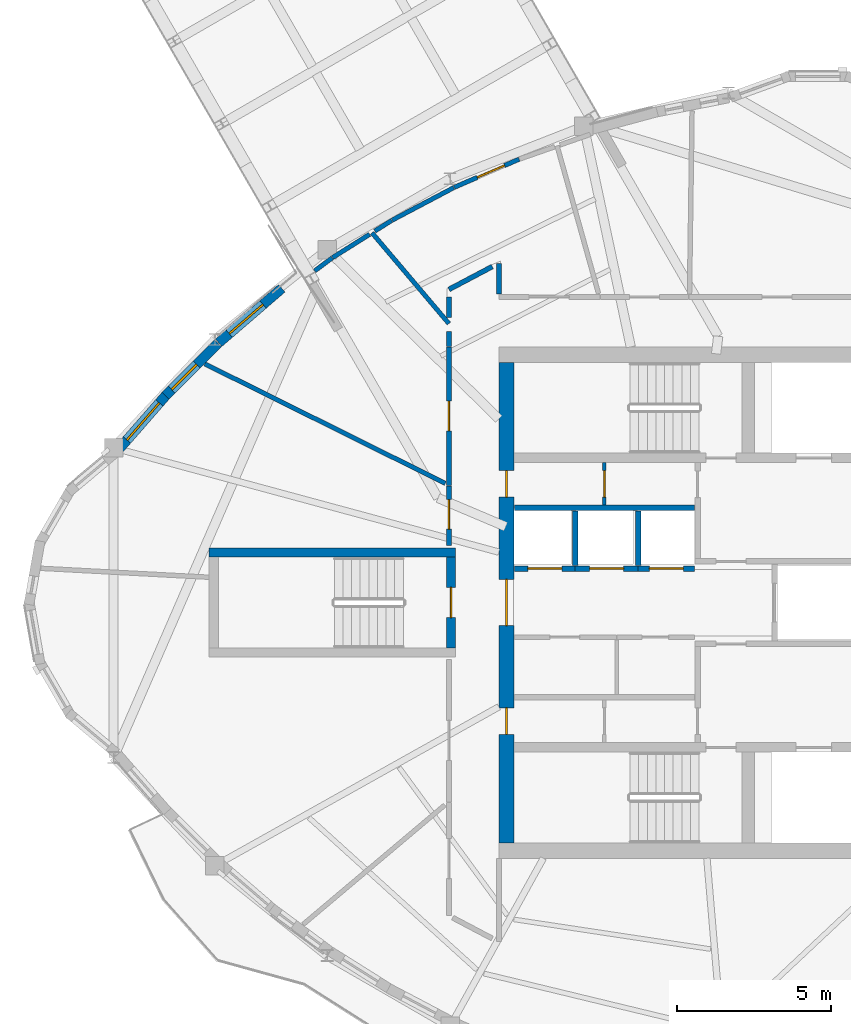
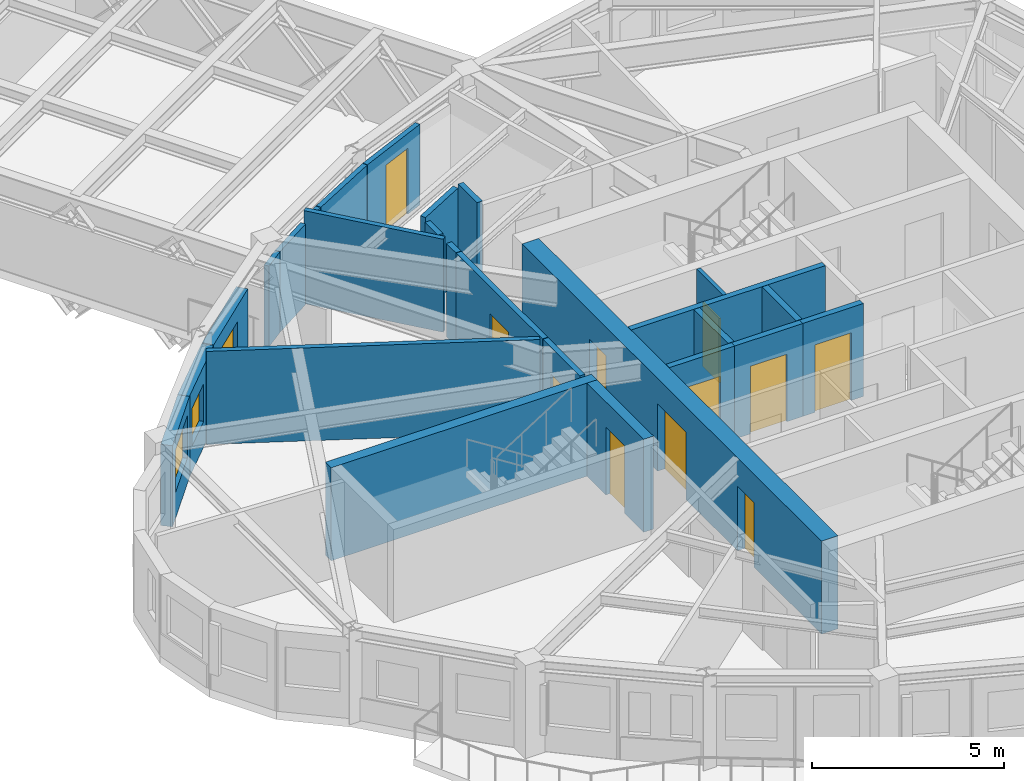
# One storey, part 7 of 14: 26 walls, 11 doors, 3 windows, 14 openings.
"""IFC4 building model written with IfcOpenShell, lengths in metres."""

from ifc_helpers import new_model, si_unit, direction, frame, frame_2d, origin, place, context, subcontext, project, spatial, rectangle, extrude, source, transform, mapped, material, layer, layer_set, type_object, element, fill, save


model = new_model("IFC4")

# Units and contexts
model_context = context("Model", 3, precision=1e-05, world=origin(), true_north=direction((0.0, 1.0)))
body_context = subcontext(model_context, "Body", "Model", "MODEL_VIEW")
ifc_project = project(units=[si_unit("LENGTHUNIT", "METRE"), si_unit("AREAUNIT", "SQUARE_METRE"), si_unit("VOLUMEUNIT", "CUBIC_METRE"), si_unit("PLANEANGLEUNIT", "RADIAN"), si_unit("MASSUNIT", "GRAM", prefix="KILO")], contexts=[model_context])

# Site, building, storey
site_placement = place(None, origin())
site = spatial("IfcSite", under=ifc_project, at=site_placement, CompositionType="ELEMENT")
building_placement = place(site_placement, origin())
building = spatial("IfcBuilding", under=site, at=building_placement, Name="Qafzar Sky-Pleat Residences", CompositionType="ELEMENT")
storey_placement = place(building_placement, frame((0.0, 0.0, 211.60009765625)))
storey = spatial("IfcBuildingStorey", under=building, at=storey_placement, Name="L63", CompositionType="ELEMENT", Elevation=211.60009765625)

# Wall, opening, door
ifc_material_1 = material(Name="Acoustic gypsum plasterboard partition", Category="gypsum")
ifc_layer_1 = layer(ifc_material_1, 0.159912109375)
ifc_layer_set_1 = layer_set([ifc_layer_1], Name="Acoustic gypsum plasterboard partition")
wall_type_1 = type_object("IfcWallType", Name="PART-COR-160", PredefinedType="PARTITIONING", material=ifc_layer_set_1)
wall_1_placement = place(storey_placement, frame((22.679931640625, 29.7939453125, 0.0), z_axis=(0.0, 0.0, 1.0), x_axis=(0.0, 1.0, 0.0)))
wall_1 = element("IfcWall", 1, at=wall_1_placement, inside=storey, type_object=wall_type_1, Name="L63 Partition Wall PART-L63-PW-005", PredefinedType="PARTITIONING", context=body_context, shape_type="SweptSolid", body=[
    extrude(rectangle(XDim=4.506103515625, YDim=0.159912109375, at=frame_2d((2.2529296875, 0.0))), origin(), (0.0, 0.0, 1.0), 2.9599609375),
])
opening_1_placement = place(wall_1_placement, frame((1.781494140625, 0.0, 0.0)))
opening_1 = element("IfcOpeningElement", 2, at=opening_1_placement, cuts=wall_1, Name="Opening ID-06", PredefinedType="OPENING", context=body_context, shape_type="SweptSolid", body=[
    extrude(rectangle(XDim=0.9599609375, YDim=2.10009765625, at=frame_2d((0.47998046875, 1.050048828125))), frame((0.0, 0.08984375, 0.0), z_axis=(0.0, -1.0, 0.0), x_axis=(1.0, 0.0, 0.0)), (0.0, 0.0, 1.0), 0.179931640625),
])
ifc_material_2 = material(Name="Timber-faced fire door", Category="wood")
door_type_1 = type_object("IfcDoorType", Name="DR-STD-960", OperationType="NOTDEFINED", PredefinedType="DOOR", material=ifc_material_2)
shared_shape_1 = source(origin(), body_context, "Body", "SweptSolid", [
    extrude(rectangle(XDim=0.9599609375, YDim=2.10009765625, at=frame_2d((0.47998046875, 1.050048828125))), frame((0.0, 0.02490234375, 0.0), z_axis=(0.0, -1.0, 0.0), x_axis=(1.0, 0.0, 0.0)), (0.0, 0.0, 1.0), 0.050048828125),
])
door_1_placement = place(opening_1_placement, origin())
door_1 = element("IfcDoor", 3, at=door_1_placement, inside=storey, type_object=door_type_1, Name="L63 Media Screening Room Door", OperationType="SINGLE_SWING_LEFT", OverallHeight=2.10009765625, OverallWidth=0.9599609375, PredefinedType="DOOR", context=body_context, shape_type="MappedRepresentation", body=[
    mapped(shared_shape_1, transform((0.0, 0.0, 0.0), x_axis=(1.0, 0.0, 0.0), y_axis=(0.0, 1.0, 0.0), z_axis=(0.0, 0.0, 1.0), scale=1.0)),
])
fill(opening_1, door_1)

wall_2_placement = place(storey_placement, frame((22.679931640625, 27.85009765625, 0.0), z_axis=(0.0, 0.0, 1.0), x_axis=(0.0, 1.0, 0.0)))
wall_2 = element("IfcWall", 4, at=wall_2_placement, inside=storey, type_object=wall_type_1, Name="L63 Partition Wall PART-L63-PW-012", PredefinedType="PARTITIONING", context=body_context, shape_type="SweptSolid", body=[
    extrude(rectangle(XDim=1.928955078125, YDim=0.159912109375, at=frame_2d((0.96435546875, 0.0))), origin(), (0.0, 0.0, 1.0), 2.9599609375),
])
opening_2_placement = place(wall_2_placement, frame((0.530029296875, 0.0, 0.0)))
opening_2 = element("IfcOpeningElement", 5, at=opening_2_placement, cuts=wall_2, Name="Opening ID-06", PredefinedType="OPENING", context=body_context, shape_type="SweptSolid", body=[
    extrude(rectangle(XDim=0.9599609375, YDim=2.10009765625, at=frame_2d((0.47998046875, 1.050048828125))), frame((0.0, 0.08984375, 0.0), z_axis=(0.0, -1.0, 0.0), x_axis=(1.0, 0.0, 0.0)), (0.0, 0.0, 1.0), 0.179931640625),
])
door_2_placement = place(opening_2_placement, origin())
door_2 = element("IfcDoor", 6, at=door_2_placement, inside=storey, type_object=door_type_1, Name="L63 Reading Library Door", OperationType="SINGLE_SWING_RIGHT", OverallHeight=2.10009765625, OverallWidth=0.9599609375, PredefinedType="DOOR", context=body_context, shape_type="MappedRepresentation", body=[
    mapped(shared_shape_1, transform((0.0, 0.0, 0.0), x_axis=(1.0, 0.0, 0.0), y_axis=(0.0, 1.0, 0.0), z_axis=(0.0, 0.0, 1.0), scale=1.0)),
])
fill(opening_2, door_2)

# Walls
wall_3_placement = place(storey_placement, frame((22.679931640625, 36.1630859375, 0.0), z_axis=(0.0, 0.0, 1.0), x_axis=(0.884428711586, 0.466675319812, 0.0)))
element("IfcWall", 7, at=wall_3_placement, inside=storey, type_object=wall_type_1, Name="L63 Partition Wall PART-L63-PW-040", PredefinedType="PARTITIONING", context=body_context, shape_type="SweptSolid", body=[
    extrude(rectangle(XDim=1.592041015625, YDim=0.159912109375, at=frame_2d((0.7958984375, 0.0))), origin(), (0.0, 0.0, 1.0), 2.9599609375),
])
wall_4_placement = place(storey_placement, frame((24.300048828125, 36.008056640625, 0.0), z_axis=(0.0, 0.0, 1.0), x_axis=(0.0, 1.0, 0.0)))
element("IfcWall", 8, at=wall_4_placement, inside=storey, type_object=wall_type_1, Name="L63 Partition Wall PART-L63-PW-047", PredefinedType="PARTITIONING", context=body_context, shape_type="SweptSolid", body=[
    extrude(rectangle(XDim=0.989990234375, YDim=0.159912109375, at=frame_2d((0.4951171875, 0.0))), origin(), (0.0, 0.0, 1.0), 2.9599609375),
])
wall_5_placement = place(storey_placement, frame((22.679931640625, 35.24658203125, 0.0), z_axis=(0.0, 0.0, 1.0), x_axis=(0.0, 1.0, 0.0)))
element("IfcWall", 9, at=wall_5_placement, inside=storey, type_object=wall_type_1, Name="L63 Partition Wall PART-L63-PW-049", PredefinedType="PARTITIONING", context=body_context, shape_type="SweptSolid", body=[
    extrude(rectangle(XDim=0.67333984375, YDim=0.159912109375, at=frame_2d((0.336669921875, 0.0))), origin(), (0.0, 0.0, 1.0), 2.9599609375),
])
wall_6_placement = place(storey_placement, frame((22.679931640625, 34.31494140625, 0.0), z_axis=(0.0, 0.0, 1.0), x_axis=(0.0, 1.0, 0.0)))
element("IfcWall", 10, at=wall_6_placement, inside=storey, type_object=wall_type_1, Name="L63 Partition Wall PART-L63-PW-052", PredefinedType="PARTITIONING", context=body_context, shape_type="SweptSolid", body=[
    extrude(rectangle(XDim=0.487548828125, YDim=0.159912109375, at=frame_2d((0.24365234375, 0.0))), origin(), (0.0, 0.0, 1.0), 2.9599609375),
])
ifc_material_3 = material(Name="Concrete blockwork partition", Category="masonry")
ifc_layer_2 = layer(ifc_material_3, 0.179931640625)
ifc_layer_set_2 = layer_set([ifc_layer_2], Name="Concrete blockwork partition")
wall_type_2 = type_object("IfcWallType", Name="PART-SHAFT-180", PredefinedType="PARTITIONING", material=ifc_layer_set_2)
wall_7_placement = place(storey_placement, frame((24.81005859375, 29.080078125, 0.0), z_axis=(0.0, 0.0, 1.0), x_axis=(1.0, 0.0, 0.0)))
element("IfcWall", 11, at=wall_7_placement, inside=storey, type_object=wall_type_2, Name="L63 Partition Wall PART-L63-P46-N", PredefinedType="PARTITIONING", context=body_context, shape_type="SweptSolid", body=[
    extrude(rectangle(XDim=5.83984375, YDim=0.179931640625, at=frame_2d((2.919921875, 0.0))), origin(), (0.0, 0.0, 1.0), 2.9599609375),
])

# Wall, opening, door
wall_8_placement = place(storey_placement, frame((24.81005859375, 27.10009765625, 0.0), z_axis=(0.0, 0.0, 1.0), x_axis=(1.0, 0.0, 0.0)))
wall_8 = element("IfcWall", 12, at=wall_8_placement, inside=storey, type_object=wall_type_2, Name="L63 Partition Wall PART-L63-P4-S", PredefinedType="PARTITIONING", context=body_context, shape_type="SweptSolid", body=[
    extrude(rectangle(XDim=1.96484375, YDim=0.179931640625, at=frame_2d((0.982421875, 0.0))), origin(), (0.0, 0.0, 1.0), 2.9599609375),
])
opening_3_placement = place(wall_8_placement, frame((0.4326171875, 0.0, 0.0)))
opening_3 = element("IfcOpeningElement", 13, at=opening_3_placement, cuts=wall_8, Name="Opening LD-01", PredefinedType="OPENING", context=body_context, shape_type="SweptSolid", body=[
    extrude(rectangle(XDim=1.10009765625, YDim=2.14990234375, at=frame_2d((0.550048828125, 1.074951171875))), frame((0.0, 0.10009765625, 0.0), z_axis=(0.0, -1.0, 0.0), x_axis=(1.0, 0.0, 0.0)), (0.0, 0.0, 1.0), 0.199951171875),
])
ifc_material_4 = material(Name="Stainless steel sliding landing door", Category="steel")
door_type_2 = type_object("IfcDoorType", Name="DR-LIFT-P", OperationType="DOUBLE_DOOR_SLIDING", PredefinedType="DOOR", material=ifc_material_4)
shared_shape_2 = source(origin(), body_context, "Body", "SweptSolid", [
    extrude(rectangle(XDim=1.10009765625, YDim=2.14990234375, at=frame_2d((0.550048828125, 1.074951171875))), frame((0.0, 0.02490234375, 0.0), z_axis=(0.0, -1.0, 0.0), x_axis=(1.0, 0.0, 0.0)), (0.0, 0.0, 1.0), 0.050048828125),
])
door_3_placement = place(opening_3_placement, origin())
door_3 = element("IfcDoor", 14, at=door_3_placement, inside=storey, type_object=door_type_2, Name="L63 Passenger Lift P4 Landing Door", OperationType="DOUBLE_DOOR_SLIDING", OverallHeight=2.14990234375, OverallWidth=1.10009765625, PredefinedType="DOOR", context=body_context, shape_type="MappedRepresentation", body=[
    mapped(shared_shape_2, transform((0.0, 0.0, 0.0), x_axis=(1.0, 0.0, 0.0), y_axis=(0.0, 1.0, 0.0), z_axis=(0.0, 0.0, 1.0), scale=1.0)),
])
fill(opening_3, door_3)

wall_9_placement = place(storey_placement, frame((26.77490234375, 27.10009765625, 0.0), z_axis=(0.0, 0.0, 1.0), x_axis=(1.0, 0.0, 0.0)))
wall_9 = element("IfcWall", 15, at=wall_9_placement, inside=storey, type_object=wall_type_2, Name="L63 Partition Wall PART-L63-P5-S", PredefinedType="PARTITIONING", context=body_context, shape_type="SweptSolid", body=[
    extrude(rectangle(XDim=2.050048828125, YDim=0.179931640625, at=frame_2d((1.02490234375, 0.0))), origin(), (0.0, 0.0, 1.0), 2.9599609375),
])
opening_4_placement = place(wall_9_placement, frame((0.47509765625, 0.0, 0.0)))
opening_4 = element("IfcOpeningElement", 16, at=opening_4_placement, cuts=wall_9, Name="Opening LD-01", PredefinedType="OPENING", context=body_context, shape_type="SweptSolid", body=[
    extrude(rectangle(XDim=1.10009765625, YDim=2.14990234375, at=frame_2d((0.550048828125, 1.074951171875))), frame((0.0, 0.10009765625, 0.0), z_axis=(0.0, -1.0, 0.0), x_axis=(1.0, 0.0, 0.0)), (0.0, 0.0, 1.0), 0.199951171875),
])
door_4_placement = place(opening_4_placement, origin())
door_4 = element("IfcDoor", 17, at=door_4_placement, inside=storey, type_object=door_type_2, Name="L63 Passenger Lift P5 Landing Door", OperationType="DOUBLE_DOOR_SLIDING", OverallHeight=2.14990234375, OverallWidth=1.10009765625, PredefinedType="DOOR", context=body_context, shape_type="MappedRepresentation", body=[
    mapped(shared_shape_2, transform((0.0, 0.0, 0.0), x_axis=(1.0, 0.0, 0.0), y_axis=(0.0, 1.0, 0.0), z_axis=(0.0, 0.0, 1.0), scale=1.0)),
])
fill(opening_4, door_4)

# Wall
wall_10_placement = place(storey_placement, frame((26.77490234375, 27.199951171875, 0.0), z_axis=(0.0, 0.0, 1.0), x_axis=(0.0, 1.0, 0.0)))
element("IfcWall", 18, at=wall_10_placement, inside=storey, type_object=wall_type_2, Name="L63 Partition Wall PART-L63-P46-DIV-1", PredefinedType="PARTITIONING", context=body_context, shape_type="SweptSolid", body=[
    extrude(rectangle(XDim=1.780029296875, YDim=0.179931640625, at=frame_2d((0.89013671875, 0.0))), origin(), (0.0, 0.0, 1.0), 2.9599609375),
])

# Wall, opening, door
wall_11_placement = place(storey_placement, frame((28.824951171875, 27.10009765625, 0.0), z_axis=(0.0, 0.0, 1.0), x_axis=(1.0, 0.0, 0.0)))
wall_11 = element("IfcWall", 19, at=wall_11_placement, inside=storey, type_object=wall_type_2, Name="L63 Partition Wall PART-L63-P6-S", PredefinedType="PARTITIONING", context=body_context, shape_type="SweptSolid", body=[
    extrude(rectangle(XDim=1.824951171875, YDim=0.179931640625, at=frame_2d((0.91259765625, 0.0))), origin(), (0.0, 0.0, 1.0), 2.9599609375),
])
opening_5_placement = place(wall_11_placement, frame((0.362548828125, 0.0, 0.0)))
opening_5 = element("IfcOpeningElement", 20, at=opening_5_placement, cuts=wall_11, Name="Opening LD-01", PredefinedType="OPENING", context=body_context, shape_type="SweptSolid", body=[
    extrude(rectangle(XDim=1.10009765625, YDim=2.14990234375, at=frame_2d((0.550048828125, 1.074951171875))), frame((0.0, 0.10009765625, 0.0), z_axis=(0.0, -1.0, 0.0), x_axis=(1.0, 0.0, 0.0)), (0.0, 0.0, 1.0), 0.199951171875),
])
door_5_placement = place(opening_5_placement, origin())
door_5 = element("IfcDoor", 21, at=door_5_placement, inside=storey, type_object=door_type_2, Name="L63 Passenger Lift P6 Landing Door", OperationType="DOUBLE_DOOR_SLIDING", OverallHeight=2.14990234375, OverallWidth=1.10009765625, PredefinedType="DOOR", context=body_context, shape_type="MappedRepresentation", body=[
    mapped(shared_shape_2, transform((0.0, 0.0, 0.0), x_axis=(1.0, 0.0, 0.0), y_axis=(0.0, 1.0, 0.0), z_axis=(0.0, 0.0, 1.0), scale=1.0)),
])
fill(opening_5, door_5)

# Wall
wall_12_placement = place(storey_placement, frame((28.824951171875, 27.199951171875, 0.0), z_axis=(0.0, 0.0, 1.0), x_axis=(0.0, 1.0, 0.0)))
element("IfcWall", 22, at=wall_12_placement, inside=storey, type_object=wall_type_2, Name="L63 Partition Wall PART-L63-P46-DIV-2", PredefinedType="PARTITIONING", context=body_context, shape_type="SweptSolid", body=[
    extrude(rectangle(XDim=1.780029296875, YDim=0.179931640625, at=frame_2d((0.89013671875, 0.0))), origin(), (0.0, 0.0, 1.0), 2.9599609375),
])

# Wall, opening, door
ifc_material_5 = material(Name="Gypsum plasterboard partition", Category="gypsum")
ifc_layer_3 = layer(ifc_material_5, 0.114990234375)
ifc_layer_set_3 = layer_set([ifc_layer_3], Name="Gypsum plasterboard partition")
wall_type_3 = type_object("IfcWallType", Name="PART-SVC-115", PredefinedType="PARTITIONING", material=ifc_layer_set_3)
wall_13_placement = place(storey_placement, frame((27.72509765625, 29.159912109375, 0.0), z_axis=(0.0, 0.0, 1.0), x_axis=(0.0, 1.0, 0.0)))
wall_13 = element("IfcWall", 23, at=wall_13_placement, inside=storey, type_object=wall_type_3, Name="L63 Partition Wall PART-L63-KB-NW", PredefinedType="PARTITIONING", context=body_context, shape_type="SweptSolid", body=[
    extrude(rectangle(XDim=1.380126953125, YDim=0.114990234375, at=frame_2d((0.68994140625, 0.0))), origin(), (0.0, 0.0, 1.0), 2.9599609375),
])
opening_6_placement = place(wall_13_placement, frame((0.260009765625, 0.0, 0.0)))
opening_6 = element("IfcOpeningElement", 24, at=opening_6_placement, cuts=wall_13, Name="Opening ID-09", PredefinedType="OPENING", context=body_context, shape_type="SweptSolid", body=[
    extrude(rectangle(XDim=0.860107421875, YDim=2.050048828125, at=frame_2d((0.43017578125, 1.02490234375))), frame((0.0, 0.0673828125, 0.0), z_axis=(0.0, -1.0, 0.0), x_axis=(1.0, 0.0, 0.0)), (0.0, 0.0, 1.0), 0.135009765625),
])
door_type_3 = type_object("IfcDoorType", Name="DR-SVC-860", OperationType="NOTDEFINED", PredefinedType="DOOR", material=ifc_material_2)
shared_shape_3 = source(origin(), body_context, "Body", "SweptSolid", [
    extrude(rectangle(XDim=0.860107421875, YDim=2.050048828125, at=frame_2d((0.43017578125, 1.02490234375))), frame((0.0, 0.02490234375, 0.0), z_axis=(0.0, -1.0, 0.0), x_axis=(1.0, 0.0, 0.0)), (0.0, 0.0, 1.0), 0.050048828125),
])
door_6_placement = place(opening_6_placement, origin())
door_6 = element("IfcDoor", 25, at=door_6_placement, inside=storey, type_object=door_type_3, Name="L63 IT Cupboard Door", OperationType="SINGLE_SWING_RIGHT", OverallHeight=2.050048828125, OverallWidth=0.860107421875, PredefinedType="DOOR", context=body_context, shape_type="MappedRepresentation", body=[
    mapped(shared_shape_3, transform((0.0, 0.0, 0.0), x_axis=(1.0, 0.0, 0.0), y_axis=(0.0, 1.0, 0.0), z_axis=(0.0, 0.0, 1.0), scale=1.0)),
])
fill(opening_6, door_6)

ifc_layer_4 = layer(ifc_material_1, 0.14501953125)
ifc_layer_set_4 = layer_set([ifc_layer_4], Name="Acoustic gypsum plasterboard partition")
wall_type_4 = type_object("IfcWallType", Name="PART-UNIT-145", PredefinedType="PARTITIONING", material=ifc_layer_set_4)
wall_14_placement = place(storey_placement, frame((22.85302734375, 39.47705078125, 0.0), z_axis=(0.0, 0.0, 1.0), x_axis=(0.917164692317, 0.398508377788, 0.0)))
wall_14 = element("IfcWall", 26, at=wall_14_placement, inside=storey, type_object=wall_type_4, Name="L63 Partition Wall PART-L63-PW-010", PredefinedType="PARTITIONING", context=body_context, shape_type="SweptSolid", body=[
    extrude(rectangle(XDim=2.296142578125, YDim=0.14501953125, at=frame_2d((1.14794921875, 0.0))), origin(), (0.0, 0.0, 1.0), 2.56787109375),
])
opening_7_placement = place(wall_14_placement, frame((0.8173828125, 0.0, 0.0)))
opening_7 = element("IfcOpeningElement", 27, at=opening_7_placement, cuts=wall_14, Name="Opening ID-06", PredefinedType="OPENING", context=body_context, shape_type="SweptSolid", body=[
    extrude(rectangle(XDim=0.9599609375, YDim=2.10009765625, at=frame_2d((0.47998046875, 1.050048828125))), frame((0.0, 0.08251953125, 0.0), z_axis=(0.0, -1.0, 0.0), x_axis=(1.0, 0.0, 0.0)), (0.0, 0.0, 1.0), 0.1650390625),
])
door_7_placement = place(opening_7_placement, origin())
door_7 = element("IfcDoor", 28, at=door_7_placement, inside=storey, type_object=door_type_1, Name="L63 Sky-Bar Reading Library Door", OperationType="SINGLE_SWING_RIGHT", OverallHeight=2.10009765625, OverallWidth=0.9599609375, PredefinedType="DOOR", context=body_context, shape_type="MappedRepresentation", body=[
    mapped(shared_shape_1, transform((0.0, 0.0, 0.0), x_axis=(1.0, 0.0, 0.0), y_axis=(0.0, 1.0, 0.0), z_axis=(0.0, 0.0, 1.0), scale=1.0)),
])
fill(opening_7, door_7)

# Walls
wall_15_placement = place(storey_placement, frame((14.758544921875, 33.746826171875, 0.0), z_axis=(0.0, 0.0, 1.0), x_axis=(0.895550902793, -0.44495907734, 0.0)))
element("IfcWall", 29, at=wall_15_placement, inside=storey, type_object=wall_type_4, Name="L63 Partition Wall PART-L63-PW-018", PredefinedType="PARTITIONING", context=body_context, shape_type="SweptSolid", body=[
    extrude(rectangle(XDim=8.7119140625, YDim=0.14501953125, at=frame_2d((4.35595703125, 0.0))), origin(), (0.0, 0.0, 1.0), 2.9599609375),
])
wall_16_placement = place(storey_placement, frame((20.18408203125, 38.001953125, 0.0), z_axis=(0.0, 0.0, 1.0), x_axis=(0.646276580378, -0.763103257531, 0.0)))
element("IfcWall", 30, at=wall_16_placement, inside=storey, type_object=wall_type_4, Name="L63 Partition Wall PART-L63-PW-026", PredefinedType="PARTITIONING", context=body_context, shape_type="SweptSolid", body=[
    extrude(rectangle(XDim=3.86181640625, YDim=0.14501953125, at=frame_2d((1.930908203125, 0.0))), origin(), (0.0, 0.0, 1.0), 2.9599609375),
])
wall_17_placement = place(storey_placement, frame((20.833984375, 38.410888671875, 0.0), z_axis=(0.0, 0.0, 1.0), x_axis=(0.884282286127, 0.466952715425, 0.0)))
element("IfcWall", 31, at=wall_17_placement, inside=storey, type_object=wall_type_4, Name="L63 Partition Wall PART-L63-PW-030", PredefinedType="PARTITIONING", context=body_context, shape_type="SweptSolid", body=[
    extrude(rectangle(XDim=2.26806640625, YDim=0.14501953125, at=frame_2d((1.134033203125, 0.0))), origin(), (0.0, 0.0, 1.0), 2.56787109375),
])
wall_18_placement = place(storey_placement, frame((18.902099609375, 37.196044921875, 0.0), z_axis=(0.0, 0.0, 1.0), x_axis=(0.846539334405, 0.532326173794, 0.0)))
element("IfcWall", 32, at=wall_18_placement, inside=storey, type_object=wall_type_4, Name="L63 Partition Wall PART-L63-PW-044", PredefinedType="PARTITIONING", context=body_context, shape_type="SweptSolid", body=[
    extrude(rectangle(XDim=1.422607421875, YDim=0.14501953125, at=frame_2d((0.71142578125, 0.0))), origin(), (0.0, 0.0, 1.0), 2.56787109375),
])
wall_19_placement = place(storey_placement, frame((20.274169921875, 38.05859375, 0.0), z_axis=(0.0, 0.0, 1.0), x_axis=(0.84623284009, 0.532813269686, 0.0)))
element("IfcWall", 33, at=wall_19_placement, inside=storey, type_object=wall_type_4, Name="L63 Partition Wall PART-L63-PW-050", PredefinedType="PARTITIONING", context=body_context, shape_type="SweptSolid", body=[
    extrude(rectangle(XDim=0.646484375, YDim=0.14501953125, at=frame_2d((0.3232421875, 0.0))), origin(), (0.0, 0.0, 1.0), 2.56787109375),
])
wall_20_placement = place(storey_placement, frame((18.321044921875, 36.76611328125, 0.0), z_axis=(0.0, 0.0, 1.0), x_axis=(0.80387489201, 0.594798417951, 0.0)))
element("IfcWall", 34, at=wall_20_placement, inside=storey, type_object=wall_type_4, Name="L63 Partition Wall PART-L63-PW-051", PredefinedType="PARTITIONING", context=body_context, shape_type="SweptSolid", body=[
    extrude(rectangle(XDim=0.70751953125, YDim=0.14501953125, at=frame_2d((0.353759765625, 0.0))), origin(), (0.0, 0.0, 1.0), 2.56787109375),
])

# Wall, opening, window
ifc_material_6 = material(Name="Precast concrete C40/50 with honed Riyadh limestone", Category="concrete")
ifc_layer_5 = layer(ifc_material_6, 0.320068359375)
ifc_layer_set_5 = layer_set([ifc_layer_5], Name="Precast concrete C40/50 with honed Riyadh limestone")
wall_type_5 = type_object("IfcWallType", Name="WALL-EXT-320", PredefinedType="SOLIDWALL", material=ifc_layer_set_5)
wall_21_placement = place(storey_placement, frame((17.255126953125, 36.19921875, 0.0), z_axis=(0.0, 0.0, 1.0), x_axis=(-0.757502279287, -0.652832518242, 0.0)))
wall_21 = element("IfcWall", 35, at=wall_21_placement, inside=storey, type_object=wall_type_5, Name="L63 Limestone Facade Wall 46", PredefinedType="SOLIDWALL", context=body_context, shape_type="SweptSolid", body=[
    extrude(rectangle(XDim=2.70556640625, YDim=0.320068359375, at=frame_2d((1.352783203125, 0.0))), origin(), (0.0, 0.0, 1.0), 2.579833984375),
])
opening_8_placement = place(wall_21_placement, frame((0.802978515625, 0.0, 0.820068359375)))
opening_8 = element("IfcOpeningElement", 36, at=opening_8_placement, cuts=wall_21, Name="Opening WN-15", PredefinedType="OPENING", context=body_context, shape_type="SweptSolid", body=[
    extrude(rectangle(XDim=1.449951171875, YDim=1.25, at=frame_2d((0.72509765625, 0.625))), frame((0.0, 0.169921875, 0.0), z_axis=(0.0, -1.0, 0.0), x_axis=(1.0, 0.0, 0.0)), (0.0, 0.0, 1.0), 0.340087890625),
])
ifc_material_7 = material(Name="Solar-control low-E glass in bronze aluminium frame", Category="glass")
window_type_1 = type_object("IfcWindowType", Name="WIN-15", PartitioningType="SINGLE_PANEL", PredefinedType="WINDOW", material=ifc_material_7)
shared_shape_4 = source(origin(), body_context, "Body", "SweptSolid", [
    extrude(rectangle(XDim=1.449951171875, YDim=1.25, at=frame_2d((0.72509765625, 0.625))), frame((0.0, 0.030029296875, 0.0), z_axis=(0.0, -1.0, 0.0), x_axis=(1.0, 0.0, 0.0)), (0.0, 0.0, 1.0), 0.06005859375),
])
window_1_placement = place(opening_8_placement, origin())
window_1 = element("IfcWindow", 37, at=window_1_placement, inside=storey, type_object=window_type_1, Name="L63 Punched Facade Window 46", OverallHeight=1.25, OverallWidth=1.449951171875, PartitioningType="SINGLE_PANEL", PredefinedType="WINDOW", context=body_context, shape_type="MappedRepresentation", body=[
    mapped(shared_shape_4, transform((0.0, 0.0, 0.0), x_axis=(1.0, 0.0, 0.0), y_axis=(0.0, 1.0, 0.0), z_axis=(0.0, 0.0, 1.0), scale=1.0)),
])
fill(opening_8, window_1)

wall_22_placement = place(storey_placement, frame((15.184814453125, 34.413330078125, 0.0), z_axis=(0.0, 0.0, 1.0), x_axis=(-0.70842648029, -0.705784614471, 0.0)))
wall_22 = element("IfcWall", 38, at=wall_22_placement, inside=storey, type_object=wall_type_5, Name="L63 Limestone Facade Wall 47", PredefinedType="SOLIDWALL", context=body_context, shape_type="SweptSolid", body=[
    extrude(rectangle(XDim=2.40283203125, YDim=0.320068359375, at=frame_2d((1.201416015625, 0.0))), origin(), (0.0, 0.0, 1.0), 2.579833984375),
])
opening_9_placement = place(wall_22_placement, frame((0.976318359375, 0.0, 0.820068359375)))
opening_9 = element("IfcOpeningElement", 39, at=opening_9_placement, cuts=wall_22, Name="Opening WN-16", PredefinedType="OPENING", context=body_context, shape_type="SweptSolid", body=[
    extrude(rectangle(XDim=1.14990234375, YDim=1.199951171875, at=frame_2d((0.574951171875, 0.60009765625))), frame((0.0, 0.169921875, 0.0), z_axis=(0.0, -1.0, 0.0), x_axis=(1.0, 0.0, 0.0)), (0.0, 0.0, 1.0), 0.340087890625),
])
window_type_2 = type_object("IfcWindowType", Name="WIN-16", PartitioningType="SINGLE_PANEL", PredefinedType="WINDOW", material=ifc_material_7)
shared_shape_5 = source(origin(), body_context, "Body", "SweptSolid", [
    extrude(rectangle(XDim=1.14990234375, YDim=1.199951171875, at=frame_2d((0.574951171875, 0.60009765625))), frame((0.0, 0.030029296875, 0.0), z_axis=(0.0, -1.0, 0.0), x_axis=(1.0, 0.0, 0.0)), (0.0, 0.0, 1.0), 0.06005859375),
])
window_2_placement = place(opening_9_placement, origin())
window_2 = element("IfcWindow", 40, at=window_2_placement, inside=storey, type_object=window_type_2, Name="L63 Punched Facade Window 47-2", OverallHeight=1.199951171875, OverallWidth=1.14990234375, PartitioningType="SINGLE_PANEL", PredefinedType="WINDOW", context=body_context, shape_type="MappedRepresentation", body=[
    mapped(shared_shape_5, transform((0.0, 0.0, 0.0), x_axis=(1.0, 0.0, 0.0), y_axis=(0.0, 1.0, 0.0), z_axis=(0.0, 0.0, 1.0), scale=1.0)),
])
fill(opening_9, window_2)

wall_23_placement = place(storey_placement, frame((13.542236328125, 32.781005859375, 0.0), z_axis=(0.0, 0.0, 1.0), x_axis=(-0.657706548736, -0.753274250024, 0.0)))
wall_23 = element("IfcWall", 41, at=wall_23_placement, inside=storey, type_object=wall_type_5, Name="L63 Limestone Facade Wall 48", PredefinedType="SOLIDWALL", context=body_context, shape_type="SweptSolid", body=[
    extrude(rectangle(XDim=2.383544921875, YDim=0.320068359375, at=frame_2d((1.19189453125, 0.0))), origin(), (0.0, 0.0, 1.0), 2.579833984375),
])
opening_10_placement = place(wall_23_placement, frame((0.396728515625, 0.0, 0.820068359375)))
opening_10 = element("IfcOpeningElement", 42, at=opening_10_placement, cuts=wall_23, Name="Opening WN-09", PredefinedType="OPENING", context=body_context, shape_type="SweptSolid", body=[
    extrude(rectangle(XDim=1.60009765625, YDim=1.35009765625, at=frame_2d((0.800048828125, 0.675048828125))), frame((0.0, 0.169921875, 0.0), z_axis=(0.0, -1.0, 0.0), x_axis=(1.0, 0.0, 0.0)), (0.0, 0.0, 1.0), 0.340087890625),
])
window_type_3 = type_object("IfcWindowType", Name="WIN-09", PartitioningType="DOUBLE_PANEL_VERTICAL", PredefinedType="WINDOW", material=ifc_material_7)
shared_shape_6 = source(origin(), body_context, "Body", "SweptSolid", [
    extrude(rectangle(XDim=1.60009765625, YDim=1.35009765625, at=frame_2d((0.800048828125, 0.675048828125))), frame((0.0, 0.030029296875, 0.0), z_axis=(0.0, -1.0, 0.0), x_axis=(1.0, 0.0, 0.0)), (0.0, 0.0, 1.0), 0.06005859375),
])
window_3_placement = place(opening_10_placement, origin())
window_3 = element("IfcWindow", 43, at=window_3_placement, inside=storey, type_object=window_type_3, Name="L63 Punched Facade Window 48", OverallHeight=1.35009765625, OverallWidth=1.60009765625, PartitioningType="SINGLE_PANEL", PredefinedType="WINDOW", context=body_context, shape_type="MappedRepresentation", body=[
    mapped(shared_shape_6, transform((0.0, 0.0, 0.0), x_axis=(1.0, 0.0, 0.0), y_axis=(0.0, 1.0, 0.0), z_axis=(0.0, 0.0, 1.0), scale=1.0)),
])
fill(opening_10, window_3)

# Wall
ifc_material_8 = material(Name="Concrete C60/75", Category="concrete")
ifc_layer_6 = layer(ifc_material_8, 0.300048828125)
ifc_layer_set_6 = layer_set([ifc_layer_6], Name="Concrete C60/75")
wall_type_6 = type_object("IfcWallType", Name="WALL-SHEAR-300", PredefinedType="SHEAR", material=ifc_layer_set_6)
wall_24_placement = place(storey_placement, frame((22.89990234375, 27.625, 0.0), z_axis=(0.0, 0.0, 1.0), x_axis=(-1.0, 0.0, 0.0)))
element("IfcWall", 44, at=wall_24_placement, inside=storey, type_object=wall_type_6, Name="L63 ST3 wall N", PredefinedType="SHEAR", context=body_context, shape_type="SweptSolid", body=[
    extrude(rectangle(XDim=8.0, YDim=0.300048828125, at=frame_2d((4.0, 0.0))), origin(), (0.0, 0.0, 1.0), 2.9599609375),
])

# Wall, opening, door
wall_25_placement = place(storey_placement, frame((22.75, 24.52490234375, 0.0), z_axis=(0.0, 0.0, 1.0), x_axis=(0.0, 1.0, 0.0)))
wall_25 = element("IfcWall", 45, at=wall_25_placement, inside=storey, type_object=wall_type_6, Name="L63 ST3 wall E", PredefinedType="SHEAR", context=body_context, shape_type="SweptSolid", body=[
    extrude(rectangle(XDim=2.9501953125, YDim=0.300048828125, at=frame_2d((1.47509765625, 0.0))), origin(), (0.0, 0.0, 1.0), 2.9599609375),
])
opening_11_placement = place(wall_25_placement, frame((0.985107421875, 0.0, 0.0)))
opening_11 = element("IfcOpeningElement", 46, at=opening_11_placement, cuts=wall_25, Name="Opening ID-01", PredefinedType="OPENING", context=body_context, shape_type="SweptSolid", body=[
    extrude(rectangle(XDim=0.97998046875, YDim=2.14990234375, at=frame_2d((0.489990234375, 1.074951171875))), frame((0.0, 0.16015625, 0.0), z_axis=(0.0, -1.0, 0.0), x_axis=(1.0, 0.0, 0.0)), (0.0, 0.0, 1.0), 0.320068359375),
])
door_type_4 = type_object("IfcDoorType", Name="DR-STAIR-980", OperationType="NOTDEFINED", PredefinedType="DOOR", material=ifc_material_2)
shared_shape_7 = source(origin(), body_context, "Body", "SweptSolid", [
    extrude(rectangle(XDim=0.97998046875, YDim=2.14990234375, at=frame_2d((0.489990234375, 1.074951171875))), frame((0.0, 0.02490234375, 0.0), z_axis=(0.0, -1.0, 0.0), x_axis=(1.0, 0.0, 0.0)), (0.0, 0.0, 1.0), 0.050048828125),
])
door_8_placement = place(opening_11_placement, origin())
door_8 = element("IfcDoor", 47, at=door_8_placement, inside=storey, type_object=door_type_4, Name="L63 Stair ST3 Fire Door", OperationType="SINGLE_SWING_RIGHT", OverallHeight=2.14990234375, OverallWidth=0.97998046875, PredefinedType="DOOR", context=body_context, shape_type="MappedRepresentation", body=[
    mapped(shared_shape_7, transform((0.0, 0.0, 0.0), x_axis=(1.0, 0.0, 0.0), y_axis=(0.0, 1.0, 0.0), z_axis=(0.0, 0.0, 1.0), scale=1.0)),
])
fill(opening_11, door_8)

# Wall, openings, doors
ifc_layer_7 = layer(ifc_material_8, 0.5)
ifc_layer_set_7 = layer_set([ifc_layer_7], Name="Concrete C60/75")
wall_type_7 = type_object("IfcWallType", Name="WALL-SHEAR-500", PredefinedType="SHEAR", material=ifc_layer_set_7)
wall_26_placement = place(storey_placement, frame((24.550048828125, 33.800048828125, 0.0), z_axis=(0.0, 0.0, 1.0), x_axis=(0.0, -1.0, 0.0)))
wall_26 = element("IfcWall", 48, at=wall_26_placement, inside=storey, type_object=wall_type_7, Name="L63 CORE wall W", PredefinedType="SHEAR", context=body_context, shape_type="SweptSolid", body=[
    extrude(rectangle(XDim=15.60009765625, YDim=0.5, at=frame_2d((7.800048828125, 0.0))), origin(), (0.0, 0.0, 1.0), 2.9599609375),
])
opening_12_placement = place(wall_26_placement, frame((7.050048828125, 0.0, 0.0)))
opening_12 = element("IfcOpeningElement", 49, at=opening_12_placement, cuts=wall_26, Name="Opening ID-03", PredefinedType="OPENING", context=body_context, shape_type="SweptSolid", body=[
    extrude(rectangle(XDim=1.5, YDim=2.14990234375, at=frame_2d((0.75, 1.074951171875))), frame((0.0, 0.260009765625, 0.0), z_axis=(0.0, -1.0, 0.0), x_axis=(1.0, 0.0, 0.0)), (0.0, 0.0, 1.0), 0.52001953125),
])
opening_13_placement = place(wall_26_placement, frame((3.52001953125, 0.0, 0.0)))
opening_13 = element("IfcOpeningElement", 50, at=opening_13_placement, cuts=wall_26, Name="Opening ID-09", PredefinedType="OPENING", context=body_context, shape_type="SweptSolid", body=[
    extrude(rectangle(XDim=0.860107421875, YDim=2.050048828125, at=frame_2d((0.43017578125, 1.02490234375))), frame((0.0, 0.260009765625, 0.0), z_axis=(0.0, -1.0, 0.0), x_axis=(1.0, 0.0, 0.0)), (0.0, 0.0, 1.0), 0.52001953125),
])
opening_14_placement = place(wall_26_placement, frame((11.219970703125, 0.0, 0.0)))
opening_14 = element("IfcOpeningElement", 51, at=opening_14_placement, cuts=wall_26, Name="Opening ID-09", PredefinedType="OPENING", context=body_context, shape_type="SweptSolid", body=[
    extrude(rectangle(XDim=0.860107421875, YDim=2.050048828125, at=frame_2d((0.43017578125, 1.02490234375))), frame((0.0, 0.260009765625, 0.0), z_axis=(0.0, -1.0, 0.0), x_axis=(1.0, 0.0, 0.0)), (0.0, 0.0, 1.0), 0.52001953125),
])
door_type_5 = type_object("IfcDoorType", Name="DR-COR-1500", OperationType="DOUBLE_DOOR_SINGLE_SWING", PredefinedType="DOOR", material=ifc_material_2)
shared_shape_8 = source(origin(), body_context, "Body", "SweptSolid", [
    extrude(rectangle(XDim=1.5, YDim=2.14990234375, at=frame_2d((0.75, 1.074951171875))), frame((0.0, 0.02490234375, 0.0), z_axis=(0.0, -1.0, 0.0), x_axis=(1.0, 0.0, 0.0)), (0.0, 0.0, 1.0), 0.050048828125),
])
door_9_placement = place(opening_12_placement, origin())
door_9 = element("IfcDoor", 52, at=door_9_placement, inside=storey, type_object=door_type_5, Name="L63 Lift Lobby West Double Door", OperationType="DOUBLE_DOOR_SINGLE_SWING", OverallHeight=2.14990234375, OverallWidth=1.5, PredefinedType="DOOR", context=body_context, shape_type="MappedRepresentation", body=[
    mapped(shared_shape_8, transform((0.0, 0.0, 0.0), x_axis=(1.0, 0.0, 0.0), y_axis=(0.0, 1.0, 0.0), z_axis=(0.0, 0.0, 1.0), scale=1.0)),
])
fill(opening_12, door_9)
door_10_placement = place(opening_13_placement, origin())
door_10 = element("IfcDoor", 53, at=door_10_placement, inside=storey, type_object=door_type_3, Name="L63 Core North-West Service Door", OperationType="SINGLE_SWING_LEFT", OverallHeight=2.050048828125, OverallWidth=0.860107421875, PredefinedType="DOOR", context=body_context, shape_type="MappedRepresentation", body=[
    mapped(shared_shape_3, transform((0.0, 0.0, 0.0), x_axis=(1.0, 0.0, 0.0), y_axis=(0.0, 1.0, 0.0), z_axis=(0.0, 0.0, 1.0), scale=1.0)),
])
fill(opening_13, door_10)
door_11_placement = place(opening_14_placement, origin())
door_11 = element("IfcDoor", 54, at=door_11_placement, inside=storey, type_object=door_type_3, Name="L63 Core South-West Service Door", OperationType="SINGLE_SWING_RIGHT", OverallHeight=2.050048828125, OverallWidth=0.860107421875, PredefinedType="DOOR", context=body_context, shape_type="MappedRepresentation", body=[
    mapped(shared_shape_3, transform((0.0, 0.0, 0.0), x_axis=(1.0, 0.0, 0.0), y_axis=(0.0, 1.0, 0.0), z_axis=(0.0, 0.0, 1.0), scale=1.0)),
])
fill(opening_14, door_11)

save(model, "model.ifc")
